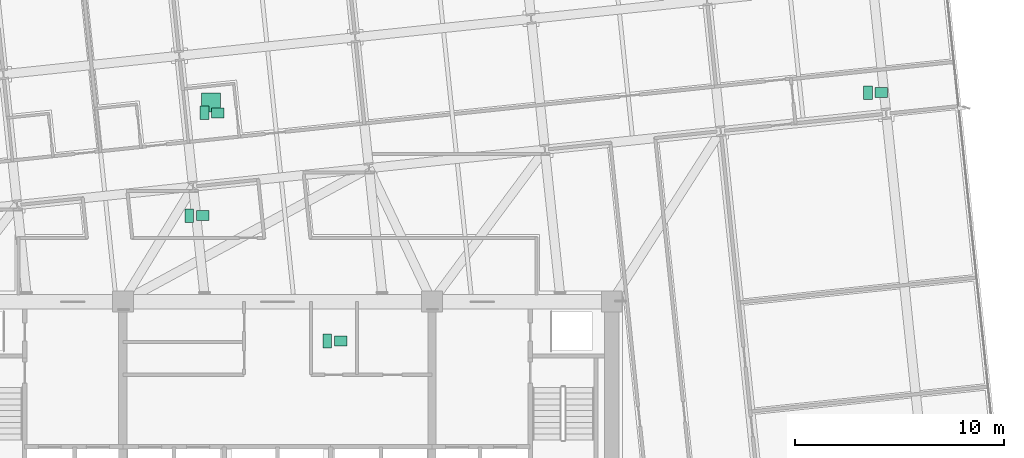
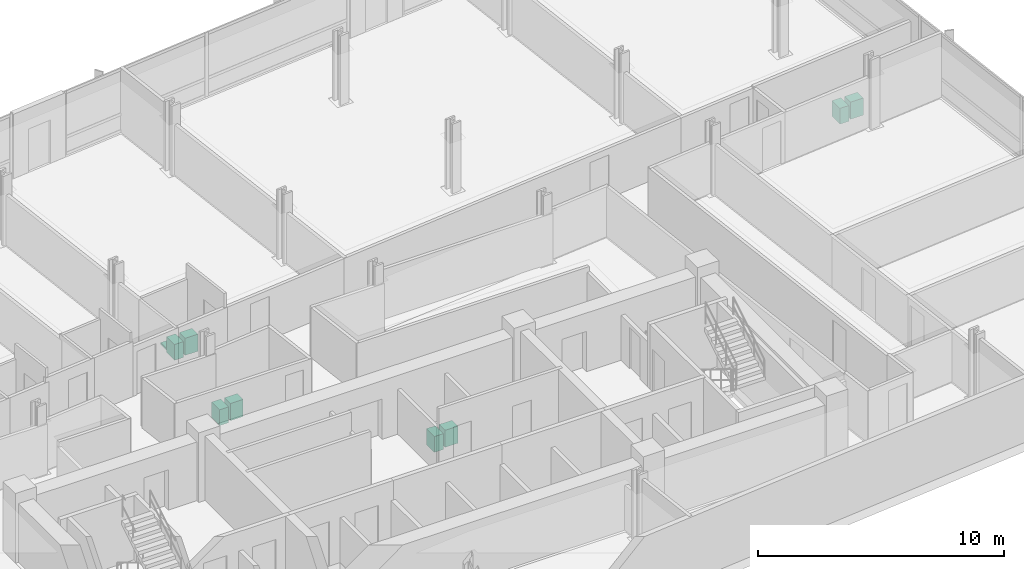
# One storey, part 18 of 18: 9 sanitary terminals.
"""IFC4 building model written with IfcOpenShell, lengths in metres."""

from ifc_helpers import new_model, si_unit, direction, frame, origin, origin_2d, place, context, subcontext, project, spatial, rectangle, extrude, material, type_object, element, save


model = new_model("IFC4")

# Units and contexts
model_context = context("Model", 3, precision=1e-05, world=origin(), true_north=direction((0.0, 1.0)))
body_context = subcontext(model_context, "Body", "Model", "MODEL_VIEW")
ifc_project = project(units=[si_unit("LENGTHUNIT", "METRE"), si_unit("AREAUNIT", "SQUARE_METRE"), si_unit("VOLUMEUNIT", "CUBIC_METRE"), si_unit("PLANEANGLEUNIT", "RADIAN"), si_unit("MASSUNIT", "GRAM", prefix="KILO")], contexts=[model_context])

# Site, building, storey
site_placement = place(None, origin())
site = spatial("IfcSite", under=ifc_project, at=site_placement, CompositionType="ELEMENT")
building_placement = place(site_placement, origin())
building = spatial("IfcBuilding", under=site, at=building_placement, Name="Solmavex Isthmus Hotel", CompositionType="ELEMENT")
storey_placement = place(building_placement, frame((0.0, 0.0, 80.10009765625)))
storey = spatial("IfcBuildingStorey", under=building, at=storey_placement, Name="L21", CompositionType="ELEMENT", Elevation=80.10009765625)

# Sanitary terminals
ifc_material = material(Name="Vitreous china ceramic", Category="ceramic")
sanitary_terminal_type_1 = type_object("IfcSanitaryTerminalType", Name="SAN-BASIN", PredefinedType="WASHHANDBASIN", material=ifc_material)
for number, where, z_axis, x_axis, name in (
    (1, (3.02001953125, -4.385009765625, -0.000244140625), (0.0, 0.0, 1.0), (1.0, 0.0, 0.0), "Vanity Washbasin L21-93"),
    (2, (-2.85888671875, 6.537841796875, -0.000244140625), (0.0, 0.0, 1.0), (1.0, 0.0, 0.0), "Vanity Washbasin L21-94"),
    (3, (-3.58349609375, 1.6162109375, -0.000244140625), (0.0, 0.0, 1.0), (1.0, 0.0, 0.0), "Vanity Washbasin L21-95"),
    (4, (28.9111328125, 7.50390625, -0.000244140625), (0.0, 0.0, 1.0), (1.0, 0.0, 0.0), "Vanity Washbasin L21-96"),
):
    element("IfcSanitaryTerminal", number, at=place(storey_placement, frame(where, z_axis=z_axis, x_axis=x_axis)), inside=storey, type_object=sanitary_terminal_type_1, Name=name, PredefinedType="WASHHANDBASIN", context=body_context, shape_type="SweptSolid", body=[
        extrude(rectangle(XDim=0.60009765625, YDim=0.47998046875, at=origin_2d()), origin(), (0.0, 0.0, 1.0), 0.85009765625),
    ])
sanitary_terminal_type_2 = type_object("IfcSanitaryTerminalType", Name="SAN-SHOWER", PredefinedType="SHOWER", material=ifc_material)
sanitary_terminal_placement = place(storey_placement, frame((-3.178955078125, 7.037841796875, -0.000244140625), z_axis=(0.0, 0.0, 1.0), x_axis=(1.0, 0.0, 0.0)))
element("IfcSanitaryTerminal", 5, at=sanitary_terminal_placement, inside=storey, type_object=sanitary_terminal_type_2, Name="Walk-In Shower L21-94", PredefinedType="SHOWER", context=body_context, shape_type="SweptSolid", body=[
    extrude(rectangle(XDim=0.89990234375, YDim=0.89990234375, at=origin_2d()), origin(), (0.0, 0.0, 1.0), 0.080078125),
])
sanitary_terminal_type_3 = type_object("IfcSanitaryTerminalType", Name="SAN-WC-SUITE", PredefinedType="TOILETPAN", material=ifc_material)
for number, where, z_axis, x_axis, name in (
    (6, (2.3798828125, -4.385009765625, 0.0), (0.0, 0.0, 1.0), (1.0, 0.0, 0.0), "Water Closet L21-93"),
    (7, (-3.498779296875, 6.537841796875, 0.0), (0.0, 0.0, 1.0), (1.0, 0.0, 0.0), "Water Closet L21-94"),
    (8, (-4.223388671875, 1.6162109375, 0.0), (0.0, 0.0, 1.0), (1.0, 0.0, 0.0), "Water Closet L21-95"),
    (9, (28.271240234375, 7.50390625, 0.0), (0.0, 0.0, 1.0), (1.0, 0.0, 0.0), "Water Closet L21-96"),
):
    element("IfcSanitaryTerminal", number, at=place(storey_placement, frame(where, z_axis=z_axis, x_axis=x_axis)), inside=storey, type_object=sanitary_terminal_type_3, Name=name, PredefinedType="TOILETPAN", context=body_context, shape_type="SweptSolid", body=[
        extrude(rectangle(XDim=0.419921875, YDim=0.64990234375, at=origin_2d()), origin(), (0.0, 0.0, 1.0), 0.780029296875),
    ])

save(model, "model.ifc")
